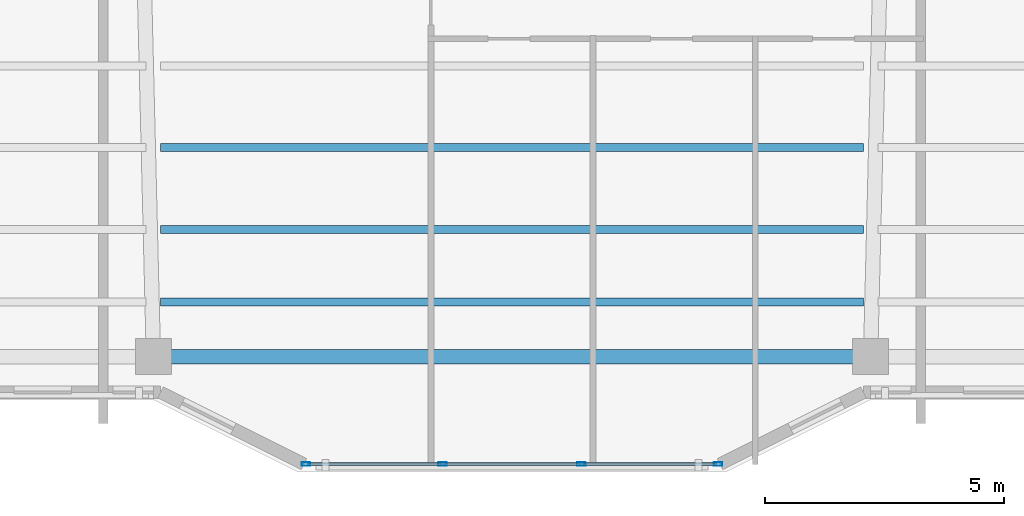
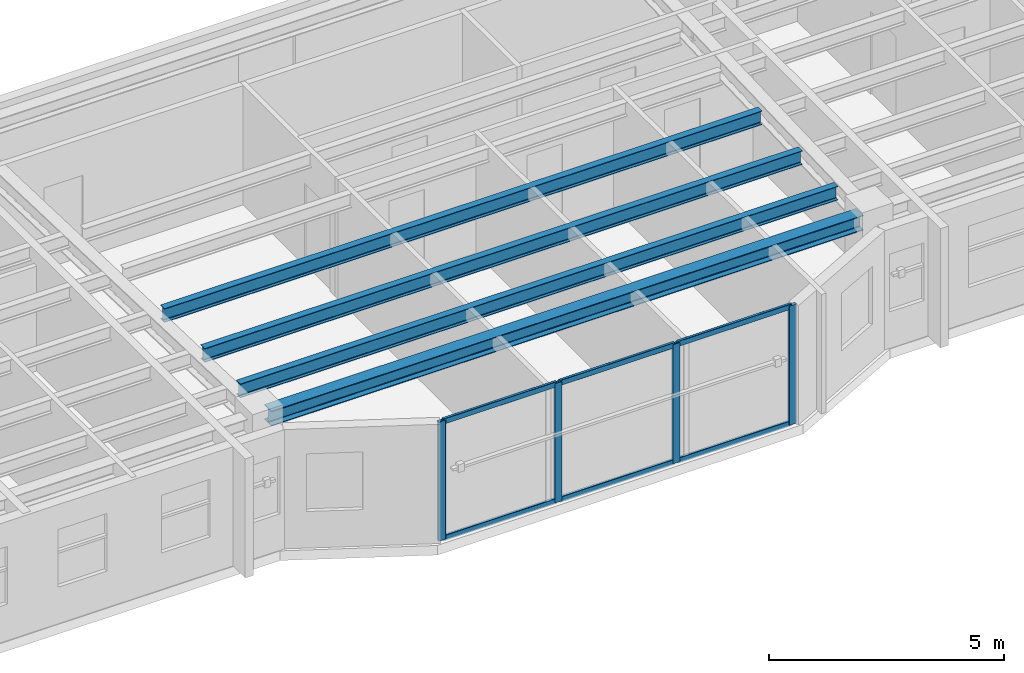
# One storey, part 2 of 14: 10 members, 4 beams, 1 element without a shape of its own.
"""IFC4 building model written with IfcOpenShell, lengths in metres."""

from ifc_helpers import new_model, si_unit, direction, frame, origin, origin_2d, place, context, subcontext, project, spatial, hollow_rectangle, i_section, extrude, material, layer, layer_set, material_profile, profile_set, type_object, element, aggregate, save


model = new_model("IFC4")

# Units and contexts
model_context = context("Model", 3, precision=1e-05, world=origin(), true_north=direction((0.0, 1.0)))
body_context = subcontext(model_context, "Body", "Model", "MODEL_VIEW")
ifc_project = project(units=[si_unit("LENGTHUNIT", "METRE"), si_unit("AREAUNIT", "SQUARE_METRE"), si_unit("VOLUMEUNIT", "CUBIC_METRE"), si_unit("PLANEANGLEUNIT", "RADIAN"), si_unit("MASSUNIT", "GRAM", prefix="KILO")], contexts=[model_context])

# Site, building, storey
site_placement = place(None, origin())
site = spatial("IfcSite", under=ifc_project, at=site_placement, CompositionType="ELEMENT")
building_placement = place(site_placement, origin())
building = spatial("IfcBuilding", under=site, at=building_placement, Name="Tarnavaz Court Tower", CompositionType="ELEMENT")
storey_placement = place(building_placement, frame((0.0, 0.0, 190.25)))
storey = spatial("IfcBuildingStorey", under=building, at=storey_placement, Name="L51", CompositionType="ELEMENT", Elevation=190.25)

# Beams
ifc_material_1 = material(Name="Steel S355", Category="steel")
ifc_material_profile_1 = material_profile(ifc_material_1, i_section(OverallWidth=0.169921875, OverallDepth=0.360107421875, WebThickness=0.008056640625, FlangeThickness=0.0126953125, FilletRadius=0.01806640625, at=origin_2d()), Name="IPE 360")
ifc_profile_set_1 = profile_set([ifc_material_profile_1], Name="Steel S355")
beam_type_1 = type_object("IfcBeamType", Name="BM-J-IPE360", PredefinedType="JOIST", material=ifc_profile_set_1)
for number, where, z_axis, x_axis, name in (
    (1, (-7.35009765625, -15.72998046875, 2.919921875), (1.0, 0.0, 0.0), (0.0, 1.0, 0.0), "L51 Beam JS3-2"),
    (2, (-7.35009765625, -17.43994140625, 2.919921875), (1.0, 0.0, 0.0), (0.0, 1.0, 0.0), "L51 Beam JS4-2"),
    (3, (-7.35009765625, -18.9599609375, 2.919921875), (1.0, 0.0, 0.0), (0.0, 1.0, 0.0), "L51 Beam JS5-2"),
):
    element("IfcBeam", number, at=place(storey_placement, frame(where, z_axis=z_axis, x_axis=x_axis)), inside=storey, type_object=beam_type_1, Name=name, PredefinedType="JOIST", context=body_context, shape_type="SweptSolid", body=[
        extrude(i_section(OverallWidth=0.169921875, OverallDepth=0.360107421875, WebThickness=0.008056640625, FlangeThickness=0.0126953125, FilletRadius=0.01806640625, at=origin_2d()), origin(), (0.0, 0.0, 1.0), 14.7001953125),
    ])
ifc_material_profile_2 = material_profile(ifc_material_1, i_section(OverallWidth=0.300048828125, OverallDepth=0.389892578125, WebThickness=0.010986328125, FlangeThickness=0.01904296875, FilletRadius=0.027099609375, at=origin_2d()), Name="HEA 400")
ifc_profile_set_2 = profile_set([ifc_material_profile_2], Name="Steel S355")
beam_type_2 = type_object("IfcBeamType", Name="BM-SP-HEA400", PredefinedType="BEAM", material=ifc_profile_set_2)
beam_placement = place(storey_placement, frame((-7.280029296875, -20.10009765625, 2.905029296875), z_axis=(1.0, 0.0, 0.0), x_axis=(0.0, 1.0, 0.0)))
element("IfcBeam", 4, at=beam_placement, inside=storey, type_object=beam_type_2, Name="L51 Beam PR-PS-2-PS-3", PredefinedType="BEAM", context=body_context, shape_type="SweptSolid", body=[
    extrude(i_section(OverallWidth=0.300048828125, OverallDepth=0.389892578125, WebThickness=0.010986328125, FlangeThickness=0.01904296875, FilletRadius=0.027099609375, at=origin_2d()), origin(), (0.0, 0.0, 1.0), 14.56005859375),
])

# Curtain wall, members
ifc_material_2 = material(Name="Anodised Aluminium 6063-T6 and Solar Low-E Glazing", Category="aluminium")
ifc_layer = layer(ifc_material_2, 0.159912109375)
ifc_layer_set = layer_set([ifc_layer], Name="Anodised Aluminium 6063-T6 and Solar Low-E Glazing")
curtain_wall_type = type_object("IfcCurtainWallType", Name="CW-SYS-03", PredefinedType="NOTDEFINED", material=ifc_layer_set)
curtain_wall_placement = place(storey_placement, origin())
curtain_wall = element("IfcCurtainWall", 5, at=curtain_wall_placement, inside=storey, type_object=curtain_wall_type, Name="L51 Iwan Prow Curtain Wall 17", PredefinedType="NOTDEFINED")
ifc_material_3 = material(Name="Anodised Aluminium 6063-T6", Category="aluminium")
ifc_material_profile_3 = material_profile(ifc_material_3, hollow_rectangle(XDim=0.074951171875, YDim=0.179931640625, WallThickness=0.0048828125, InnerFilletRadius=0.0048828125, OuterFilletRadius=0.010009765625, at=origin_2d()), Name="ALU RHS 180X75X5")
ifc_profile_set_3 = profile_set([ifc_material_profile_3], Name="Anodised Aluminium 6063-T6")
member_type_1 = type_object("IfcMemberType", Name="CW-MUL-180", PredefinedType="MULLION", material=ifc_profile_set_3)
member_1_placement = place(storey_placement, frame((4.3125, -22.35009765625, 0.0), z_axis=(0.0, 0.0, 1.0), x_axis=(0.0, -1.0, 0.0)))
member_1 = element("IfcMember", 6, at=member_1_placement, type_object=member_type_1, Name="CW mullion 1", PredefinedType="MULLION", context=body_context, shape_type="SweptSolid", body=[
    extrude(hollow_rectangle(XDim=0.074951171875, YDim=0.179931640625, WallThickness=0.0048828125, InnerFilletRadius=0.0048828125, OuterFilletRadius=0.010009765625, at=origin_2d()), origin(), (0.0, 0.0, 1.0), 3.10009765625),
])
member_2_placement = place(storey_placement, frame((1.449951171875, -22.35009765625, 0.0), z_axis=(0.0, 0.0, 1.0), x_axis=(0.0, -1.0, 0.0)))
member_2 = element("IfcMember", 7, at=member_2_placement, type_object=member_type_1, Name="CW mullion 2", PredefinedType="MULLION", context=body_context, shape_type="SweptSolid", body=[
    extrude(hollow_rectangle(XDim=0.074951171875, YDim=0.179931640625, WallThickness=0.0048828125, InnerFilletRadius=0.0048828125, OuterFilletRadius=0.010009765625, at=origin_2d()), origin(), (0.0, 0.0, 1.0), 3.10009765625),
])
member_3_placement = place(storey_placement, frame((-1.449951171875, -22.35009765625, 0.0), z_axis=(0.0, 0.0, 1.0), x_axis=(0.0, -1.0, 0.0)))
member_3 = element("IfcMember", 8, at=member_3_placement, type_object=member_type_1, Name="CW mullion 3", PredefinedType="MULLION", context=body_context, shape_type="SweptSolid", body=[
    extrude(hollow_rectangle(XDim=0.074951171875, YDim=0.179931640625, WallThickness=0.0048828125, InnerFilletRadius=0.0048828125, OuterFilletRadius=0.010009765625, at=origin_2d()), origin(), (0.0, 0.0, 1.0), 3.10009765625),
])
member_4_placement = place(storey_placement, frame((-4.3125, -22.35009765625, 0.0), z_axis=(0.0, 0.0, 1.0), x_axis=(0.0, -1.0, 0.0)))
member_4 = element("IfcMember", 9, at=member_4_placement, type_object=member_type_1, Name="CW mullion 4", PredefinedType="MULLION", context=body_context, shape_type="SweptSolid", body=[
    extrude(hollow_rectangle(XDim=0.074951171875, YDim=0.179931640625, WallThickness=0.0048828125, InnerFilletRadius=0.0048828125, OuterFilletRadius=0.010009765625, at=origin_2d()), origin(), (0.0, 0.0, 1.0), 3.10009765625),
])
ifc_material_profile_4 = material_profile(ifc_material_3, hollow_rectangle(XDim=0.06494140625, YDim=0.139892578125, WallThickness=0.00390625, InnerFilletRadius=0.00390625, OuterFilletRadius=0.008056640625, at=origin_2d()), Name="ALU RHS 140X65X4")
ifc_profile_set_4 = profile_set([ifc_material_profile_4], Name="Anodised Aluminium 6063-T6")
member_type_2 = type_object("IfcMemberType", Name="CW-TRN-140", PredefinedType="USERDEFINED", material=ifc_profile_set_4)
member_5_placement = place(storey_placement, frame((4.27490234375, -22.35009765625, 0.032470703125), z_axis=(-1.0, 0.0, 0.0), x_axis=(0.0, -1.0, 0.0)))
member_5 = element("IfcMember", 10, at=member_5_placement, type_object=member_type_2, Name="CW transom 1.1", ObjectType="TRANSOM", PredefinedType="USERDEFINED", context=body_context, shape_type="SweptSolid", body=[
    extrude(hollow_rectangle(XDim=0.06494140625, YDim=0.139892578125, WallThickness=0.00390625, InnerFilletRadius=0.00390625, OuterFilletRadius=0.008056640625, at=origin_2d()), origin(), (0.0, 0.0, 1.0), 2.787353515625),
])
member_6_placement = place(storey_placement, frame((4.27490234375, -22.35009765625, 3.0673828125), z_axis=(-1.0, 0.0, 0.0), x_axis=(0.0, -1.0, 0.0)))
member_6 = element("IfcMember", 11, at=member_6_placement, type_object=member_type_2, Name="CW transom 1.2", ObjectType="TRANSOM", PredefinedType="USERDEFINED", context=body_context, shape_type="SweptSolid", body=[
    extrude(hollow_rectangle(XDim=0.06494140625, YDim=0.139892578125, WallThickness=0.00390625, InnerFilletRadius=0.00390625, OuterFilletRadius=0.008056640625, at=origin_2d()), origin(), (0.0, 0.0, 1.0), 2.787353515625),
])
member_7_placement = place(storey_placement, frame((1.41259765625, -22.35009765625, 0.032470703125), z_axis=(-1.0, 0.0, 0.0), x_axis=(0.0, -1.0, 0.0)))
member_7 = element("IfcMember", 12, at=member_7_placement, type_object=member_type_2, Name="CW transom 2.1", ObjectType="TRANSOM", PredefinedType="USERDEFINED", context=body_context, shape_type="SweptSolid", body=[
    extrude(hollow_rectangle(XDim=0.06494140625, YDim=0.139892578125, WallThickness=0.00390625, InnerFilletRadius=0.00390625, OuterFilletRadius=0.008056640625, at=origin_2d()), origin(), (0.0, 0.0, 1.0), 2.8251953125),
])
member_8_placement = place(storey_placement, frame((1.41259765625, -22.35009765625, 3.0673828125), z_axis=(-1.0, 0.0, 0.0), x_axis=(0.0, -1.0, 0.0)))
member_8 = element("IfcMember", 13, at=member_8_placement, type_object=member_type_2, Name="CW transom 2.2", ObjectType="TRANSOM", PredefinedType="USERDEFINED", context=body_context, shape_type="SweptSolid", body=[
    extrude(hollow_rectangle(XDim=0.06494140625, YDim=0.139892578125, WallThickness=0.00390625, InnerFilletRadius=0.00390625, OuterFilletRadius=0.008056640625, at=origin_2d()), origin(), (0.0, 0.0, 1.0), 2.8251953125),
])
member_9_placement = place(storey_placement, frame((-1.487548828125, -22.35009765625, 0.032470703125), z_axis=(-1.0, 0.0, 0.0), x_axis=(0.0, -1.0, 0.0)))
member_9 = element("IfcMember", 14, at=member_9_placement, type_object=member_type_2, Name="CW transom 3.1", ObjectType="TRANSOM", PredefinedType="USERDEFINED", context=body_context, shape_type="SweptSolid", body=[
    extrude(hollow_rectangle(XDim=0.06494140625, YDim=0.139892578125, WallThickness=0.00390625, InnerFilletRadius=0.00390625, OuterFilletRadius=0.008056640625, at=origin_2d()), origin(), (0.0, 0.0, 1.0), 2.787353515625),
])
member_10_placement = place(storey_placement, frame((-1.487548828125, -22.35009765625, 3.0673828125), z_axis=(-1.0, 0.0, 0.0), x_axis=(0.0, -1.0, 0.0)))
member_10 = element("IfcMember", 15, at=member_10_placement, type_object=member_type_2, Name="CW transom 3.2", ObjectType="TRANSOM", PredefinedType="USERDEFINED", context=body_context, shape_type="SweptSolid", body=[
    extrude(hollow_rectangle(XDim=0.06494140625, YDim=0.139892578125, WallThickness=0.00390625, InnerFilletRadius=0.00390625, OuterFilletRadius=0.008056640625, at=origin_2d()), origin(), (0.0, 0.0, 1.0), 2.787353515625),
])
aggregate(curtain_wall, [member_1, member_2, member_3, member_4, member_5, member_6, member_7, member_8, member_9, member_10])

save(model, "model.ifc")
